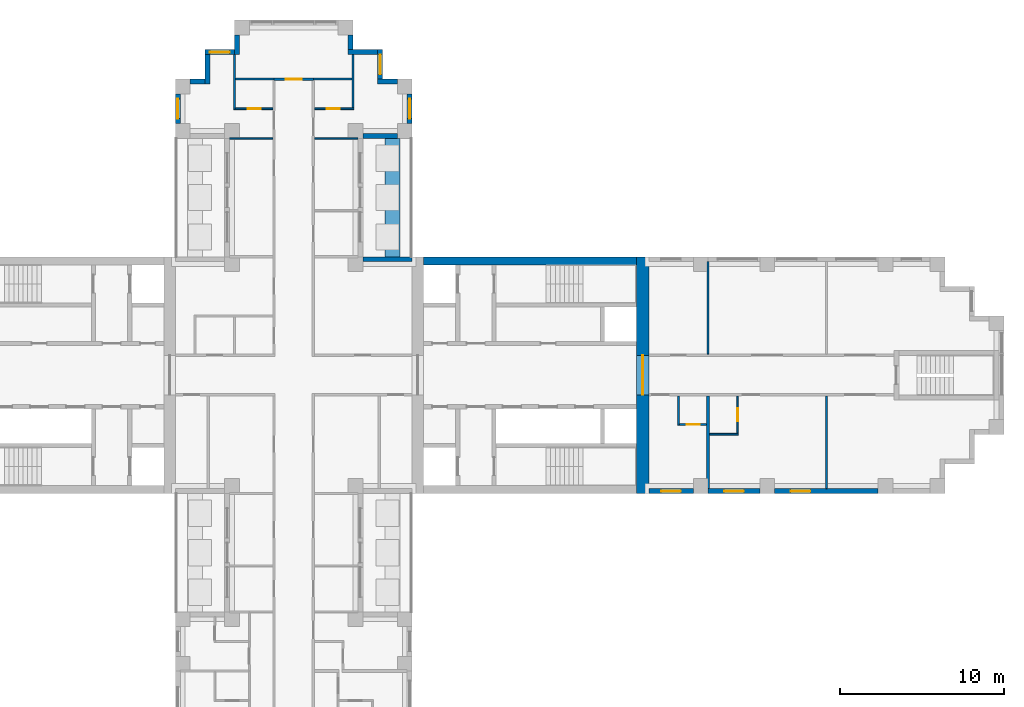
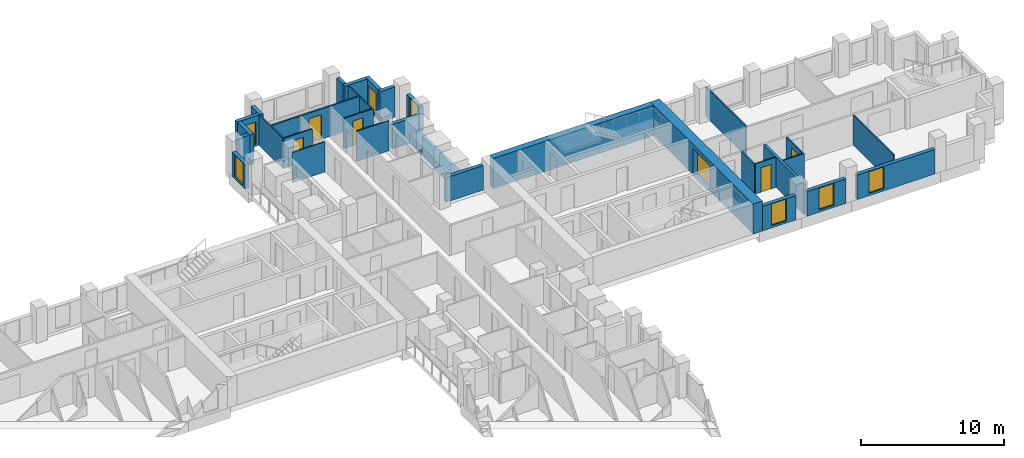
# One storey, part 10 of 14: 34 walls, 7 windows, 6 doors, 13 openings.
"""IFC4 building model written with IfcOpenShell, lengths in metres."""

from ifc_helpers import new_model, si_unit, direction, frame, frame_2d, origin, place, context, subcontext, project, spatial, rectangle, extrude, material, layer, layer_set, type_object, element, fill, save


model = new_model("IFC4")

# Units and contexts
model_context = context("Model", 3, precision=1e-05, world=origin(), true_north=direction((0.0, 1.0)))
body_context = subcontext(model_context, "Body", "Model", "MODEL_VIEW")
ifc_project = project(units=[si_unit("LENGTHUNIT", "METRE"), si_unit("AREAUNIT", "SQUARE_METRE"), si_unit("VOLUMEUNIT", "CUBIC_METRE"), si_unit("PLANEANGLEUNIT", "RADIAN"), si_unit("MASSUNIT", "GRAM", prefix="KILO")], contexts=[model_context])

# Site, building, storey
site_placement = place(None, origin())
site = spatial("IfcSite", under=ifc_project, at=site_placement, CompositionType="ELEMENT")
building_placement = place(site_placement, origin())
building = spatial("IfcBuilding", under=site, at=building_placement, Name="Fustian Cross Tower", CompositionType="ELEMENT")
storey_placement = place(building_placement, frame((0.0, 0.0, 72.89990234375)))
storey = spatial("IfcBuildingStorey", under=building, at=storey_placement, Name="L22", CompositionType="ELEMENT", Elevation=72.89990234375)

# Wall, opening, door
ifc_material_1 = material(Name="Plasterboard on steel stud", Category="steel")
ifc_layer_1 = layer(ifc_material_1, 0.14990234375)
ifc_layer_set_1 = layer_set([ifc_layer_1], Name="Plasterboard on steel stud")
wall_type_1 = type_object("IfcWallType", Name="COMPARTMENT WALL 150 EI 60", PredefinedType="PARTITIONING", material=ifc_layer_set_1)
wall_1_placement = place(storey_placement, frame((-1.199951171875, 18.0, 0.0), z_axis=(0.0, 0.0, 1.0), x_axis=(1.0, 0.0, 0.0)))
wall_1 = element("IfcWall", 1, at=wall_1_placement, inside=storey, type_object=wall_type_1, Name="Partition 51", PredefinedType="PARTITIONING", context=body_context, shape_type="SweptSolid", body=[
    extrude(rectangle(XDim=2.39990234375, YDim=0.14990234375, at=frame_2d((1.199951171875, 0.0))), origin(), (0.0, 0.0, 1.0), 2.5751953125),
])
opening_1_placement = place(wall_1_placement, frame((0.699951171875, 0.0, 0.0)))
opening_1 = element("IfcOpeningElement", 2, at=opening_1_placement, cuts=wall_1, Name="Opening D11017", PredefinedType="OPENING", context=body_context, shape_type="SweptSolid", body=[
    extrude(rectangle(XDim=1.0, YDim=2.10009765625, at=frame_2d((0.5, 1.050048828125))), frame((0.0, 0.0849609375, 0.0), z_axis=(0.0, -1.0, 0.0), x_axis=(1.0, 0.0, 0.0)), (0.0, 0.0, 1.0), 0.169921875),
])
ifc_material_2 = material(Name="Timber fire door set", Category="wood")
door_type_1 = type_object("IfcDoorType", Name="FIRE SWING DOOR 1000 FD30S", OperationType="SINGLE_SWING_LEFT", PredefinedType="DOOR", material=ifc_material_2)
door_1_placement = place(opening_1_placement, origin())
door_1 = element("IfcDoor", 3, at=door_1_placement, inside=storey, type_object=door_type_1, Name="Door D11017", OperationType="SINGLE_SWING_LEFT", OverallHeight=2.10009765625, OverallWidth=1.0, PredefinedType="DOOR", context=body_context, shape_type="SweptSolid", body=[
    extrude(rectangle(XDim=1.0, YDim=2.10009765625, at=frame_2d((0.5, 1.050048828125))), frame((0.0, 0.02490234375, 0.0), z_axis=(0.0, -1.0, 0.0), x_axis=(1.0, 0.0, 0.0)), (0.0, 0.0, 1.0), 0.050048828125),
])
fill(opening_1, door_1)

ifc_material_3 = material(Name="Concrete C70/85", Category="concrete")
ifc_layer_2 = layer(ifc_material_3, 0.75)
ifc_layer_set_2 = layer_set([ifc_layer_2], Name="Concrete C70/85")
wall_type_2 = type_object("IfcWallType", Name="CORE END WALL 750 C70/85", PredefinedType="SHEAR", material=ifc_layer_set_2)
wall_2_placement = place(storey_placement, frame((21.22509765625, -7.199951171875, 0.0), z_axis=(0.0, 0.0, 1.0), x_axis=(0.0, 1.0, 0.0)))
wall_2 = element("IfcWall", 4, at=wall_2_placement, inside=storey, type_object=wall_type_2, Name="Core end wall", PredefinedType="SHEAR", context=body_context, shape_type="SweptSolid", body=[
    extrude(rectangle(XDim=14.39990234375, YDim=0.75, at=frame_2d((7.199951171875, 0.0))), origin(), (0.0, 0.0, 1.0), 2.5751953125),
])
opening_2_placement = place(wall_2_placement, frame((6.0, 0.0, 0.0)))
opening_2 = element("IfcOpeningElement", 5, at=opening_2_placement, cuts=wall_2, Name="Opening CD-09-13", PredefinedType="OPENING", context=body_context, shape_type="SweptSolid", body=[
    extrude(rectangle(XDim=2.39990234375, YDim=2.199951171875, at=frame_2d((1.199951171875, 1.10009765625))), frame((0.0, 0.385009765625, 0.0), z_axis=(0.0, -1.0, 0.0), x_axis=(1.0, 0.0, 0.0)), (0.0, 0.0, 1.0), 0.77001953125),
])
ifc_material_4 = material(Name="Steel", Category="steel")
door_type_2 = type_object("IfcDoorType", Name="FIRE DOOR FD30S DOUBLE 2400X2200", OperationType="DOUBLE_DOOR_DOUBLE_SWING", PredefinedType="DOOR", material=ifc_material_4)
door_2_placement = place(opening_2_placement, origin())
door_2 = element("IfcDoor", 6, at=door_2_placement, inside=storey, type_object=door_type_2, Name="Core door CD-09-13", OperationType="DOUBLE_DOOR_DOUBLE_SWING", OverallHeight=2.199951171875, OverallWidth=2.39990234375, PredefinedType="DOOR", context=body_context, shape_type="SweptSolid", body=[
    extrude(rectangle(XDim=2.39990234375, YDim=2.199951171875, at=frame_2d((1.199951171875, 1.10009765625))), frame((0.0, 0.02490234375, 0.0), z_axis=(0.0, -1.0, 0.0), x_axis=(1.0, 0.0, 0.0)), (0.0, 0.0, 1.0), 0.050048828125),
])
fill(opening_2, door_2)

# Walls
ifc_material_5 = material(Name="Concrete C70/85", Category="concrete")
ifc_layer_3 = layer(ifc_material_5, 0.5)
ifc_layer_set_3 = layer_set([ifc_layer_3], Name="Concrete C70/85")
wall_type_3 = type_object("IfcWallType", Name="CORE FACADE WALL 500 C70/85", PredefinedType="SHEAR", material=ifc_layer_set_3)
wall_3_placement = place(storey_placement, frame((7.89990234375, 6.949951171875, 0.0), z_axis=(0.0, 0.0, 1.0), x_axis=(1.0, 0.0, 0.0)))
element("IfcWall", 7, at=wall_3_placement, inside=storey, type_object=wall_type_3, Name="Core facade wall", PredefinedType="SHEAR", context=body_context, shape_type="SweptSolid", body=[
    extrude(rectangle(XDim=12.9501953125, YDim=0.5, at=frame_2d((6.47509765625, 0.0))), origin(), (0.0, 0.0, 1.0), 2.5751953125),
])
ifc_material_6 = material(Name="Plasterboard on steel stud", Category="steel")
ifc_layer_4 = layer(ifc_material_6, 0.10009765625)
ifc_layer_set_4 = layer_set([ifc_layer_4], Name="Plasterboard on steel stud")
wall_type_4 = type_object("IfcWallType", Name="PARTITION 100 STUD", PredefinedType="PARTITIONING", material=ifc_layer_set_4)
wall_4_placement = place(storey_placement, frame((-3.89990234375, 14.39990234375, 0.0), z_axis=(0.0, 0.0, 1.0), x_axis=(1.0, 0.0, 0.0)))
element("IfcWall", 8, at=wall_4_placement, inside=storey, type_object=wall_type_4, Name="Partition 42", PredefinedType="PARTITIONING", context=body_context, shape_type="SweptSolid", body=[
    extrude(rectangle(XDim=2.625, YDim=0.10009765625, at=frame_2d((1.3125, 0.0))), origin(), (0.0, 0.0, 1.0), 2.5751953125),
])
wall_5_placement = place(storey_placement, frame((-3.60009765625, 16.14990234375, 0.0), z_axis=(0.0, 0.0, 1.0), x_axis=(0.0, 1.0, 0.0)))
element("IfcWall", 9, at=wall_5_placement, inside=storey, type_object=wall_type_4, Name="Partition 44", PredefinedType="PARTITIONING", context=body_context, shape_type="SweptSolid", body=[
    extrude(rectangle(XDim=3.35009765625, YDim=0.10009765625, at=frame_2d((1.675048828125, 0.0))), origin(), (0.0, 0.0, 1.0), 2.5751953125),
])

# Wall, opening, door
wall_6_placement = place(storey_placement, frame((-3.550048828125, 16.199951171875, 0.0), z_axis=(0.0, 0.0, 1.0), x_axis=(1.0, 0.0, 0.0)))
wall_6 = element("IfcWall", 10, at=wall_6_placement, inside=storey, type_object=wall_type_4, Name="Partition 45", PredefinedType="PARTITIONING", context=body_context, shape_type="SweptSolid", body=[
    extrude(rectangle(XDim=2.275146484375, YDim=0.10009765625, at=frame_2d((1.1376953125, 0.0))), origin(), (0.0, 0.0, 1.0), 2.5751953125),
])
opening_3_placement = place(wall_6_placement, frame((0.75, 0.0, 0.0)))
opening_3 = element("IfcOpeningElement", 11, at=opening_3_placement, cuts=wall_6, Name="Opening D11019", PredefinedType="OPENING", context=body_context, shape_type="SweptSolid", body=[
    extrude(rectangle(XDim=0.800048828125, YDim=2.10009765625, at=frame_2d((0.39990234375, 1.050048828125))), frame((0.0, 0.06005859375, 0.0), z_axis=(0.0, -1.0, 0.0), x_axis=(1.0, 0.0, 0.0)), (0.0, 0.0, 1.0), 0.1201171875),
])
ifc_material_7 = material(Name="Painted timber", Category="wood")
door_type_3 = type_object("IfcDoorType", Name="SWING DOOR 800", OperationType="SINGLE_SWING_LEFT", PredefinedType="DOOR", material=ifc_material_7)
door_3_placement = place(opening_3_placement, origin())
door_3 = element("IfcDoor", 12, at=door_3_placement, inside=storey, type_object=door_type_3, Name="Door D11019", OperationType="SINGLE_SWING_LEFT", OverallHeight=2.10009765625, OverallWidth=0.800048828125, PredefinedType="DOOR", context=body_context, shape_type="SweptSolid", body=[
    extrude(rectangle(XDim=0.800048828125, YDim=2.10009765625, at=frame_2d((0.39990234375, 1.050048828125))), frame((0.0, 0.02490234375, 0.0), z_axis=(0.0, -1.0, 0.0), x_axis=(1.0, 0.0, 0.0)), (0.0, 0.0, 1.0), 0.050048828125),
])
fill(opening_3, door_3)

# Wall
wall_7_placement = place(storey_placement, frame((1.27490234375, 14.39990234375, 0.0), z_axis=(0.0, 0.0, 1.0), x_axis=(1.0, 0.0, 0.0)))
element("IfcWall", 13, at=wall_7_placement, inside=storey, type_object=wall_type_4, Name="Partition 64", PredefinedType="PARTITIONING", context=body_context, shape_type="SweptSolid", body=[
    extrude(rectangle(XDim=2.625, YDim=0.10009765625, at=frame_2d((1.3125, 0.0))), origin(), (0.0, 0.0, 1.0), 2.5751953125),
])

# Wall, opening, door
wall_8_placement = place(storey_placement, frame((1.27490234375, 16.199951171875, 0.0), z_axis=(0.0, 0.0, 1.0), x_axis=(1.0, 0.0, 0.0)))
wall_8 = element("IfcWall", 14, at=wall_8_placement, inside=storey, type_object=wall_type_4, Name="Partition 65", PredefinedType="PARTITIONING", context=body_context, shape_type="SweptSolid", body=[
    extrude(rectangle(XDim=2.375, YDim=0.10009765625, at=frame_2d((1.1875, 0.0))), origin(), (0.0, 0.0, 1.0), 2.5751953125),
])
opening_4_placement = place(wall_8_placement, frame((0.72509765625, 0.0, 0.0)))
opening_4 = element("IfcOpeningElement", 15, at=opening_4_placement, cuts=wall_8, Name="Opening D11023", PredefinedType="OPENING", context=body_context, shape_type="SweptSolid", body=[
    extrude(rectangle(XDim=0.800048828125, YDim=2.10009765625, at=frame_2d((0.39990234375, 1.050048828125))), frame((0.0, 0.06005859375, 0.0), z_axis=(0.0, -1.0, 0.0), x_axis=(1.0, 0.0, 0.0)), (0.0, 0.0, 1.0), 0.1201171875),
])
door_4_placement = place(opening_4_placement, origin())
door_4 = element("IfcDoor", 16, at=door_4_placement, inside=storey, type_object=door_type_3, Name="Door D11023", OperationType="SINGLE_SWING_LEFT", OverallHeight=2.10009765625, OverallWidth=0.800048828125, PredefinedType="DOOR", context=body_context, shape_type="SweptSolid", body=[
    extrude(rectangle(XDim=0.800048828125, YDim=2.10009765625, at=frame_2d((0.39990234375, 1.050048828125))), frame((0.0, 0.02490234375, 0.0), z_axis=(0.0, -1.0, 0.0), x_axis=(1.0, 0.0, 0.0)), (0.0, 0.0, 1.0), 0.050048828125),
])
fill(opening_4, door_4)

# Walls
wall_9_placement = place(storey_placement, frame((3.60009765625, 16.25, 0.0), z_axis=(0.0, 0.0, 1.0), x_axis=(0.0, 1.0, 0.0)))
element("IfcWall", 17, at=wall_9_placement, inside=storey, type_object=wall_type_4, Name="Partition 77", PredefinedType="PARTITIONING", context=body_context, shape_type="SweptSolid", body=[
    extrude(rectangle(XDim=3.25, YDim=0.10009765625, at=frame_2d((1.625, 0.0))), origin(), (0.0, 0.0, 1.0), 2.5751953125),
])
wall_10_placement = place(storey_placement, frame((23.39990234375, -3.050048828125, 0.0), z_axis=(0.0, 0.0, 1.0), x_axis=(0.0, 1.0, 0.0)))
element("IfcWall", 18, at=wall_10_placement, inside=storey, type_object=wall_type_4, Name="Partition 86", PredefinedType="PARTITIONING", context=body_context, shape_type="SweptSolid", body=[
    extrude(rectangle(XDim=1.775146484375, YDim=0.10009765625, at=frame_2d((0.8876953125, 0.0))), origin(), (0.0, 0.0, 1.0), 2.5751953125),
])

# Wall, opening, door
wall_11_placement = place(storey_placement, frame((23.449951171875, -3.0, 0.0), z_axis=(0.0, 0.0, 1.0), x_axis=(1.0, 0.0, 0.0)))
wall_11 = element("IfcWall", 19, at=wall_11_placement, inside=storey, type_object=wall_type_4, Name="Partition 87", PredefinedType="PARTITIONING", context=body_context, shape_type="SweptSolid", body=[
    extrude(rectangle(XDim=1.650146484375, YDim=0.10009765625, at=frame_2d((0.8251953125, 0.0))), origin(), (0.0, 0.0, 1.0), 2.5751953125),
])
opening_5_placement = place(wall_11_placement, frame((0.449951171875, 0.0, 0.0)))
opening_5 = element("IfcOpeningElement", 20, at=opening_5_placement, cuts=wall_11, Name="Opening D11012", PredefinedType="OPENING", context=body_context, shape_type="SweptSolid", body=[
    extrude(rectangle(XDim=0.800048828125, YDim=2.10009765625, at=frame_2d((0.39990234375, 1.050048828125))), frame((0.0, 0.06005859375, 0.0), z_axis=(0.0, -1.0, 0.0), x_axis=(1.0, 0.0, 0.0)), (0.0, 0.0, 1.0), 0.1201171875),
])
door_5_placement = place(opening_5_placement, origin())
door_5 = element("IfcDoor", 21, at=door_5_placement, inside=storey, type_object=door_type_3, Name="Door D11012", OperationType="SINGLE_SWING_RIGHT", OverallHeight=2.10009765625, OverallWidth=0.800048828125, PredefinedType="DOOR", context=body_context, shape_type="SweptSolid", body=[
    extrude(rectangle(XDim=0.800048828125, YDim=2.10009765625, at=frame_2d((0.39990234375, 1.050048828125))), frame((0.0, 0.02490234375, 0.0), z_axis=(0.0, -1.0, 0.0), x_axis=(1.0, 0.0, 0.0)), (0.0, 0.0, 1.0), 0.050048828125),
])
fill(opening_5, door_5)

# Walls
wall_12_placement = place(storey_placement, frame((25.300048828125, -3.60009765625, 0.0), z_axis=(0.0, 0.0, 1.0), x_axis=(1.0, 0.0, 0.0)))
element("IfcWall", 22, at=wall_12_placement, inside=storey, type_object=wall_type_4, Name="Partition 89", PredefinedType="PARTITIONING", context=body_context, shape_type="SweptSolid", body=[
    extrude(rectangle(XDim=1.75, YDim=0.10009765625, at=frame_2d((0.875, 0.0))), origin(), (0.0, 0.0, 1.0), 2.5751953125),
])
wall_13_placement = place(storey_placement, frame((25.199951171875, 1.27490234375, 0.0), z_axis=(0.0, 0.0, 1.0), x_axis=(0.0, 1.0, 0.0)))
element("IfcWall", 23, at=wall_13_placement, inside=storey, type_object=wall_type_4, Name="Partition 90", PredefinedType="PARTITIONING", context=body_context, shape_type="SweptSolid", body=[
    extrude(rectangle(XDim=5.625, YDim=0.10009765625, at=frame_2d((2.8125, 0.0))), origin(), (0.0, 0.0, 1.0), 2.5751953125),
])

# Wall, opening, door
wall_14_placement = place(storey_placement, frame((27.0, -3.550048828125, 0.0), z_axis=(0.0, 0.0, 1.0), x_axis=(0.0, 1.0, 0.0)))
wall_14 = element("IfcWall", 24, at=wall_14_placement, inside=storey, type_object=wall_type_4, Name="Partition 91", PredefinedType="PARTITIONING", context=body_context, shape_type="SweptSolid", body=[
    extrude(rectangle(XDim=2.275146484375, YDim=0.10009765625, at=frame_2d((1.1376953125, 0.0))), origin(), (0.0, 0.0, 1.0), 2.5751953125),
])
opening_6_placement = place(wall_14_placement, frame((0.75, 0.0, 0.0)))
opening_6 = element("IfcOpeningElement", 25, at=opening_6_placement, cuts=wall_14, Name="Opening D11014", PredefinedType="OPENING", context=body_context, shape_type="SweptSolid", body=[
    extrude(rectangle(XDim=0.800048828125, YDim=2.10009765625, at=frame_2d((0.39990234375, 1.050048828125))), frame((0.0, 0.06005859375, 0.0), z_axis=(0.0, -1.0, 0.0), x_axis=(1.0, 0.0, 0.0)), (0.0, 0.0, 1.0), 0.1201171875),
])
door_6_placement = place(opening_6_placement, origin())
door_6 = element("IfcDoor", 26, at=door_6_placement, inside=storey, type_object=door_type_3, Name="Door D11014", OperationType="SINGLE_SWING_LEFT", OverallHeight=2.10009765625, OverallWidth=0.800048828125, PredefinedType="DOOR", context=body_context, shape_type="SweptSolid", body=[
    extrude(rectangle(XDim=0.800048828125, YDim=2.10009765625, at=frame_2d((0.39990234375, 1.050048828125))), frame((0.0, 0.02490234375, 0.0), z_axis=(0.0, -1.0, 0.0), x_axis=(1.0, 0.0, 0.0)), (0.0, 0.0, 1.0), 0.050048828125),
])
fill(opening_6, door_6)

# Walls
wall_15_placement = place(storey_placement, frame((32.39990234375, -6.89990234375, 0.0), z_axis=(0.0, 0.0, 1.0), x_axis=(0.0, 1.0, 0.0)))
element("IfcWall", 27, at=wall_15_placement, inside=storey, type_object=wall_type_4, Name="Partition 92", PredefinedType="PARTITIONING", context=body_context, shape_type="SweptSolid", body=[
    extrude(rectangle(XDim=5.625, YDim=0.10009765625, at=frame_2d((2.8125, 0.0))), origin(), (0.0, 0.0, 1.0), 2.5751953125),
])
ifc_material_8 = material(Name="Plasterboard on steel stud", Category="steel")
ifc_layer_5 = layer(ifc_material_8, 0.199951171875)
ifc_layer_set_5 = layer_set([ifc_layer_5], Name="Plasterboard on steel stud")
wall_type_5 = type_object("IfcWallType", Name="PARTY WALL 200 EI 60", PredefinedType="PARTITIONING", material=ifc_layer_set_5)
wall_16_placement = place(storey_placement, frame((25.199951171875, -6.89990234375, 0.0), z_axis=(0.0, 0.0, 1.0), x_axis=(0.0, 1.0, 0.0)))
element("IfcWall", 28, at=wall_16_placement, inside=storey, type_object=wall_type_5, Name="Partition 88", PredefinedType="PARTITIONING", context=body_context, shape_type="SweptSolid", body=[
    extrude(rectangle(XDim=5.625, YDim=0.199951171875, at=frame_2d((2.8125, 0.0))), origin(), (0.0, 0.0, 1.0), 2.5751953125),
])
ifc_material_9 = material(Name="Concrete C40/50", Category="concrete")
ifc_layer_6 = layer(ifc_material_9, 0.89990234375)
ifc_layer_set_6 = layer_set([ifc_layer_6], Name="Concrete C40/50")
wall_type_6 = type_object("IfcWallType", Name="PK1 PLANTER 900", PredefinedType="PARAPET", material=ifc_layer_set_6)
wall_17_placement = place(storey_placement, frame((6.0, 7.199951171875, 0.0), z_axis=(0.0, 0.0, 1.0), x_axis=(0.0, 1.0, 0.0)))
element("IfcWall", 29, at=wall_17_placement, inside=storey, type_object=wall_type_6, Name="PLANTER", PredefinedType="PARAPET", context=body_context, shape_type="SweptSolid", body=[
    extrude(rectangle(XDim=7.199951171875, YDim=0.89990234375, at=frame_2d((3.60009765625, 0.0))), origin(), (0.0, 0.0, 1.0), 0.800048828125),
])
ifc_material_10 = material(Name="Plasterboard on steel stud", Category="steel")
ifc_layer_7 = layer(ifc_material_10, 0.125)
ifc_layer_set_7 = layer_set([ifc_layer_7], Name="Plasterboard on steel stud")
wall_type_7 = type_object("IfcWallType", Name="WET WALL 125 STUD", PredefinedType="PARTITIONING", material=ifc_layer_set_7)
for number, where, z_axis, x_axis, name in (
    (30, (-3.550048828125, 18.0, 0.0), (0.0, 0.0, 1.0), (1.0, 0.0, 0.0), "Partition 46"),
    (31, (1.199951171875, 18.0, 0.0), (0.0, 0.0, 1.0), (1.0, 0.0, 0.0), "Partition 66"),
):
    element("IfcWall", number, at=place(storey_placement, frame(where, z_axis=z_axis, x_axis=x_axis)), inside=storey, type_object=wall_type_7, Name=name, PredefinedType="PARTITIONING", context=body_context, shape_type="SweptSolid", body=[
        extrude(rectangle(XDim=2.35009765625, YDim=0.125, at=frame_2d((1.175048828125, 0.0))), origin(), (0.0, 0.0, 1.0), 2.5751953125),
    ])

# Wall, opening, window
ifc_material_11 = material(Name="Dark aluminium cladding on insulated backing wall", Category="aluminium")
ifc_layer_8 = layer(ifc_material_11, 0.300048828125)
ifc_layer_set_8 = layer_set([ifc_layer_8], Name="Dark aluminium cladding on insulated backing wall")
wall_type_8 = type_object("IfcWallType", Name="XW1 EXTERNAL WALL 300", PredefinedType="SOLIDWALL", material=ifc_layer_set_8)
wall_18_placement = place(storey_placement, frame((21.60009765625, -7.050048828125, 0.0), z_axis=(0.0, 0.0, 1.0), x_axis=(1.0, 0.0, 0.0)))
wall_18 = element("IfcWall", 32, at=wall_18_placement, inside=storey, type_object=wall_type_8, Name="External wall", PredefinedType="SOLIDWALL", context=body_context, shape_type="SweptSolid", body=[
    extrude(rectangle(XDim=2.699951171875, YDim=0.300048828125, at=frame_2d((1.35009765625, 0.0))), origin(), (0.0, 0.0, 1.0), 2.10009765625),
])
opening_7_placement = place(wall_18_placement, frame((0.75, 0.0, 0.199951171875)))
opening_7 = element("IfcOpeningElement", 33, at=opening_7_placement, cuts=wall_18, Name="Opening WN3", PredefinedType="OPENING", context=body_context, shape_type="SweptSolid", body=[
    extrude(rectangle(XDim=1.199951171875, YDim=1.85009765625, at=frame_2d((0.60009765625, 0.925048828125))), frame((0.0, 0.159912109375, 0.0), z_axis=(0.0, -1.0, 0.0), x_axis=(1.0, 0.0, 0.0)), (0.0, 0.0, 1.0), 0.320068359375),
])
ifc_material_12 = material(Name="Dark anodised aluminium and double glazing", Category="aluminium")
window_type = type_object("IfcWindowType", Name="WN3 WINDOW 1200X1850", PartitioningType="SINGLE_PANEL", PredefinedType="WINDOW", material=ifc_material_12)
window_1_placement = place(opening_7_placement, origin())
window_1 = element("IfcWindow", 34, at=window_1_placement, inside=storey, type_object=window_type, Name="Window", OverallHeight=1.85009765625, OverallWidth=1.199951171875, PartitioningType="SINGLE_PANEL", PredefinedType="WINDOW", context=body_context, shape_type="SweptSolid", body=[
    extrude(rectangle(XDim=1.199951171875, YDim=1.85009765625, at=frame_2d((0.60009765625, 0.925048828125))), frame((0.0, 0.030029296875, 0.0), z_axis=(0.0, -1.0, 0.0), x_axis=(1.0, 0.0, 0.0)), (0.0, 0.0, 1.0), 0.06005859375),
])
fill(opening_7, window_1)

wall_19_placement = place(storey_placement, frame((25.199951171875, -7.050048828125, 0.0), z_axis=(0.0, 0.0, 1.0), x_axis=(1.0, 0.0, 0.0)))
wall_19 = element("IfcWall", 35, at=wall_19_placement, inside=storey, type_object=wall_type_8, Name="External wall", PredefinedType="SOLIDWALL", context=body_context, shape_type="SweptSolid", body=[
    extrude(rectangle(XDim=3.150146484375, YDim=0.300048828125, at=frame_2d((1.5751953125, 0.0))), origin(), (0.0, 0.0, 1.0), 2.10009765625),
])
opening_8_placement = place(wall_19_placement, frame((0.97509765625, 0.0, 0.199951171875)))
opening_8 = element("IfcOpeningElement", 36, at=opening_8_placement, cuts=wall_19, Name="Opening WN3", PredefinedType="OPENING", context=body_context, shape_type="SweptSolid", body=[
    extrude(rectangle(XDim=1.199951171875, YDim=1.85009765625, at=frame_2d((0.60009765625, 0.925048828125))), frame((0.0, 0.159912109375, 0.0), z_axis=(0.0, -1.0, 0.0), x_axis=(1.0, 0.0, 0.0)), (0.0, 0.0, 1.0), 0.320068359375),
])
window_2_placement = place(opening_8_placement, origin())
window_2 = element("IfcWindow", 37, at=window_2_placement, inside=storey, type_object=window_type, Name="Window", OverallHeight=1.85009765625, OverallWidth=1.199951171875, PartitioningType="SINGLE_PANEL", PredefinedType="WINDOW", context=body_context, shape_type="SweptSolid", body=[
    extrude(rectangle(XDim=1.199951171875, YDim=1.85009765625, at=frame_2d((0.60009765625, 0.925048828125))), frame((0.0, 0.030029296875, 0.0), z_axis=(0.0, -1.0, 0.0), x_axis=(1.0, 0.0, 0.0)), (0.0, 0.0, 1.0), 0.06005859375),
])
fill(opening_8, window_2)

wall_20_placement = place(storey_placement, frame((29.25, -7.050048828125, 0.0), z_axis=(0.0, 0.0, 1.0), x_axis=(1.0, 0.0, 0.0)))
wall_20 = element("IfcWall", 38, at=wall_20_placement, inside=storey, type_object=wall_type_8, Name="External wall", PredefinedType="SOLIDWALL", context=body_context, shape_type="SweptSolid", body=[
    extrude(rectangle(XDim=6.300048828125, YDim=0.300048828125, at=frame_2d((3.14990234375, 0.0))), origin(), (0.0, 0.0, 1.0), 2.10009765625),
])
opening_9_placement = place(wall_20_placement, frame((0.97509765625, 0.0, 0.199951171875)))
opening_9 = element("IfcOpeningElement", 39, at=opening_9_placement, cuts=wall_20, Name="Opening WN3", PredefinedType="OPENING", context=body_context, shape_type="SweptSolid", body=[
    extrude(rectangle(XDim=1.199951171875, YDim=1.85009765625, at=frame_2d((0.60009765625, 0.925048828125))), frame((0.0, 0.159912109375, 0.0), z_axis=(0.0, -1.0, 0.0), x_axis=(1.0, 0.0, 0.0)), (0.0, 0.0, 1.0), 0.320068359375),
])
window_3_placement = place(opening_9_placement, origin())
window_3 = element("IfcWindow", 40, at=window_3_placement, inside=storey, type_object=window_type, Name="Window", OverallHeight=1.85009765625, OverallWidth=1.199951171875, PartitioningType="SINGLE_PANEL", PredefinedType="WINDOW", context=body_context, shape_type="SweptSolid", body=[
    extrude(rectangle(XDim=1.199951171875, YDim=1.85009765625, at=frame_2d((0.60009765625, 0.925048828125))), frame((0.0, 0.030029296875, 0.0), z_axis=(0.0, -1.0, 0.0), x_axis=(1.0, 0.0, 0.0)), (0.0, 0.0, 1.0), 0.06005859375),
])
fill(opening_9, window_3)

# Walls
wall_21_placement = place(storey_placement, frame((7.199951171875, 7.050048828125, 0.0), z_axis=(0.0, 0.0, 1.0), x_axis=(-1.0, 0.0, 0.0)))
element("IfcWall", 41, at=wall_21_placement, inside=storey, type_object=wall_type_8, Name="External wall", PredefinedType="SOLIDWALL", context=body_context, shape_type="SweptSolid", body=[
    extrude(rectangle(XDim=3.0, YDim=0.300048828125, at=frame_2d((1.5, 0.0))), origin(), (0.0, 0.0, 1.0), 2.10009765625),
])
wall_22_placement = place(storey_placement, frame((4.199951171875, 14.550048828125, 0.0), z_axis=(0.0, 0.0, 1.0), x_axis=(1.0, 0.0, 0.0)))
element("IfcWall", 42, at=wall_22_placement, inside=storey, type_object=wall_type_8, Name="External wall", PredefinedType="SOLIDWALL", context=body_context, shape_type="SweptSolid", body=[
    extrude(rectangle(XDim=2.10009765625, YDim=0.300048828125, at=frame_2d((1.050048828125, 0.0))), origin(), (0.0, 0.0, 1.0), 2.10009765625),
])

# Wall, opening, window
wall_23_placement = place(storey_placement, frame((7.050048828125, 15.300048828125, 0.0), z_axis=(0.0, 0.0, 1.0), x_axis=(0.0, 1.0, 0.0)))
wall_23 = element("IfcWall", 43, at=wall_23_placement, inside=storey, type_object=wall_type_8, Name="External wall", PredefinedType="SOLIDWALL", context=body_context, shape_type="SweptSolid", body=[
    extrude(rectangle(XDim=1.800048828125, YDim=0.300048828125, at=frame_2d((0.89990234375, 0.0))), origin(), (0.0, 0.0, 1.0), 2.10009765625),
])
opening_10_placement = place(wall_23_placement, frame((0.300048828125, 0.0, 0.199951171875)))
opening_10 = element("IfcOpeningElement", 44, at=opening_10_placement, cuts=wall_23, Name="Opening WN3", PredefinedType="OPENING", context=body_context, shape_type="SweptSolid", body=[
    extrude(rectangle(XDim=1.199951171875, YDim=1.85009765625, at=frame_2d((0.60009765625, 0.925048828125))), frame((0.0, 0.159912109375, 0.0), z_axis=(0.0, -1.0, 0.0), x_axis=(1.0, 0.0, 0.0)), (0.0, 0.0, 1.0), 0.320068359375),
])
window_4_placement = place(opening_10_placement, origin())
window_4 = element("IfcWindow", 45, at=window_4_placement, inside=storey, type_object=window_type, Name="Window", OverallHeight=1.85009765625, OverallWidth=1.199951171875, PartitioningType="SINGLE_PANEL", PredefinedType="WINDOW", context=body_context, shape_type="SweptSolid", body=[
    extrude(rectangle(XDim=1.199951171875, YDim=1.85009765625, at=frame_2d((0.60009765625, 0.925048828125))), frame((0.0, 0.030029296875, 0.0), z_axis=(0.0, -1.0, 0.0), x_axis=(1.0, 0.0, 0.0)), (0.0, 0.0, 1.0), 0.06005859375),
])
fill(opening_10, window_4)

# Wall
wall_24_placement = place(storey_placement, frame((6.300048828125, 17.85009765625, 0.0), z_axis=(0.0, 0.0, 1.0), x_axis=(-1.0, 0.0, 0.0)))
element("IfcWall", 46, at=wall_24_placement, inside=storey, type_object=wall_type_8, Name="External wall", PredefinedType="SOLIDWALL", context=body_context, shape_type="SweptSolid", body=[
    extrude(rectangle(XDim=1.199951171875, YDim=0.300048828125, at=frame_2d((0.60009765625, 0.0))), origin(), (0.0, 0.0, 1.0), 2.5751953125),
])

# Wall, opening, window
wall_25_placement = place(storey_placement, frame((5.25, 18.0, 0.0), z_axis=(0.0, 0.0, 1.0), x_axis=(0.0, 1.0, 0.0)))
wall_25 = element("IfcWall", 47, at=wall_25_placement, inside=storey, type_object=wall_type_8, Name="External wall", PredefinedType="SOLIDWALL", context=body_context, shape_type="SweptSolid", body=[
    extrude(rectangle(XDim=1.800048828125, YDim=0.300048828125, at=frame_2d((0.89990234375, 0.0))), origin(), (0.0, 0.0, 1.0), 2.5751953125),
])
opening_11_placement = place(wall_25_placement, frame((0.300048828125, 0.0, 0.199951171875)))
opening_11 = element("IfcOpeningElement", 48, at=opening_11_placement, cuts=wall_25, Name="Opening WN3", PredefinedType="OPENING", context=body_context, shape_type="SweptSolid", body=[
    extrude(rectangle(XDim=1.199951171875, YDim=1.85009765625, at=frame_2d((0.60009765625, 0.925048828125))), frame((0.0, 0.159912109375, 0.0), z_axis=(0.0, -1.0, 0.0), x_axis=(1.0, 0.0, 0.0)), (0.0, 0.0, 1.0), 0.320068359375),
])
window_5_placement = place(opening_11_placement, origin())
window_5 = element("IfcWindow", 49, at=window_5_placement, inside=storey, type_object=window_type, Name="Window", OverallHeight=1.85009765625, OverallWidth=1.199951171875, PartitioningType="SINGLE_PANEL", PredefinedType="WINDOW", context=body_context, shape_type="SweptSolid", body=[
    extrude(rectangle(XDim=1.199951171875, YDim=1.85009765625, at=frame_2d((0.60009765625, 0.925048828125))), frame((0.0, 0.030029296875, 0.0), z_axis=(0.0, -1.0, 0.0), x_axis=(1.0, 0.0, 0.0)), (0.0, 0.0, 1.0), 0.06005859375),
])
fill(opening_11, window_5)

# Walls
wall_26_placement = place(storey_placement, frame((5.10009765625, 19.64990234375, 0.0), z_axis=(0.0, 0.0, 1.0), x_axis=(-1.0, 0.0, 0.0)))
element("IfcWall", 50, at=wall_26_placement, inside=storey, type_object=wall_type_8, Name="External wall", PredefinedType="SOLIDWALL", context=body_context, shape_type="SweptSolid", body=[
    extrude(rectangle(XDim=1.800048828125, YDim=0.300048828125, at=frame_2d((0.89990234375, 0.0))), origin(), (0.0, 0.0, 1.0), 2.5751953125),
])
wall_27_placement = place(storey_placement, frame((3.449951171875, 19.800048828125, 0.0), z_axis=(0.0, 0.0, 1.0), x_axis=(0.0, 1.0, 0.0)))
element("IfcWall", 51, at=wall_27_placement, inside=storey, type_object=wall_type_8, Name="External wall", PredefinedType="SOLIDWALL", context=body_context, shape_type="SweptSolid", body=[
    extrude(rectangle(XDim=0.89990234375, YDim=0.300048828125, at=frame_2d((0.449951171875, 0.0))), origin(), (0.0, 0.0, 1.0), 2.5751953125),
])
wall_28_placement = place(storey_placement, frame((-3.449951171875, 20.699951171875, 0.0), z_axis=(0.0, 0.0, 1.0), x_axis=(0.0, -1.0, 0.0)))
element("IfcWall", 52, at=wall_28_placement, inside=storey, type_object=wall_type_8, Name="External wall", PredefinedType="SOLIDWALL", context=body_context, shape_type="SweptSolid", body=[
    extrude(rectangle(XDim=1.199951171875, YDim=0.300048828125, at=frame_2d((0.60009765625, 0.0))), origin(), (0.0, 0.0, 1.0), 2.5751953125),
])

# Wall, opening, window
wall_29_placement = place(storey_placement, frame((-3.60009765625, 19.64990234375, 0.0), z_axis=(0.0, 0.0, 1.0), x_axis=(-1.0, 0.0, 0.0)))
wall_29 = element("IfcWall", 53, at=wall_29_placement, inside=storey, type_object=wall_type_8, Name="External wall", PredefinedType="SOLIDWALL", context=body_context, shape_type="SweptSolid", body=[
    extrude(rectangle(XDim=1.7998046875, YDim=0.300048828125, at=frame_2d((0.89990234375, 0.0))), origin(), (0.0, 0.0, 1.0), 2.5751953125),
])
opening_12_placement = place(wall_29_placement, frame((0.300048828125, 0.0, 0.199951171875)))
opening_12 = element("IfcOpeningElement", 54, at=opening_12_placement, cuts=wall_29, Name="Opening WN3", PredefinedType="OPENING", context=body_context, shape_type="SweptSolid", body=[
    extrude(rectangle(XDim=1.199951171875, YDim=1.85009765625, at=frame_2d((0.60009765625, 0.925048828125))), frame((0.0, 0.159912109375, 0.0), z_axis=(0.0, -1.0, 0.0), x_axis=(1.0, 0.0, 0.0)), (0.0, 0.0, 1.0), 0.320068359375),
])
window_6_placement = place(opening_12_placement, origin())
window_6 = element("IfcWindow", 55, at=window_6_placement, inside=storey, type_object=window_type, Name="Window", OverallHeight=1.85009765625, OverallWidth=1.199951171875, PartitioningType="SINGLE_PANEL", PredefinedType="WINDOW", context=body_context, shape_type="SweptSolid", body=[
    extrude(rectangle(XDim=1.199951171875, YDim=1.85009765625, at=frame_2d((0.60009765625, 0.925048828125))), frame((0.0, 0.030029296875, 0.0), z_axis=(0.0, -1.0, 0.0), x_axis=(1.0, 0.0, 0.0)), (0.0, 0.0, 1.0), 0.06005859375),
])
fill(opening_12, window_6)

# Walls
wall_30_placement = place(storey_placement, frame((-5.25, 19.5, 0.0), z_axis=(0.0, 0.0, 1.0), x_axis=(0.0, -1.0, 0.0)))
element("IfcWall", 56, at=wall_30_placement, inside=storey, type_object=wall_type_8, Name="External wall", PredefinedType="SOLIDWALL", context=body_context, shape_type="SweptSolid", body=[
    extrude(rectangle(XDim=1.800048828125, YDim=0.300048828125, at=frame_2d((0.89990234375, 0.0))), origin(), (0.0, 0.0, 1.0), 2.5751953125),
])
wall_31_placement = place(storey_placement, frame((-5.39990234375, 17.85009765625, 0.0), z_axis=(0.0, 0.0, 1.0), x_axis=(-1.0, 0.0, 0.0)))
element("IfcWall", 57, at=wall_31_placement, inside=storey, type_object=wall_type_8, Name="External wall", PredefinedType="SOLIDWALL", context=body_context, shape_type="SweptSolid", body=[
    extrude(rectangle(XDim=0.900146484375, YDim=0.300048828125, at=frame_2d((0.4501953125, 0.0))), origin(), (0.0, 0.0, 1.0), 2.5751953125),
])

# Wall, opening, window
wall_32_placement = place(storey_placement, frame((-7.050048828125, 17.10009765625, 0.0), z_axis=(0.0, 0.0, 1.0), x_axis=(0.0, -1.0, 0.0)))
wall_32 = element("IfcWall", 58, at=wall_32_placement, inside=storey, type_object=wall_type_8, Name="External wall", PredefinedType="SOLIDWALL", context=body_context, shape_type="SweptSolid", body=[
    extrude(rectangle(XDim=1.800048828125, YDim=0.300048828125, at=frame_2d((0.89990234375, 0.0))), origin(), (0.0, 0.0, 1.0), 2.10009765625),
])
opening_13_placement = place(wall_32_placement, frame((0.300048828125, 0.0, 0.199951171875)))
opening_13 = element("IfcOpeningElement", 59, at=opening_13_placement, cuts=wall_32, Name="Opening WN3", PredefinedType="OPENING", context=body_context, shape_type="SweptSolid", body=[
    extrude(rectangle(XDim=1.199951171875, YDim=1.85009765625, at=frame_2d((0.60009765625, 0.925048828125))), frame((0.0, 0.159912109375, 0.0), z_axis=(0.0, -1.0, 0.0), x_axis=(1.0, 0.0, 0.0)), (0.0, 0.0, 1.0), 0.320068359375),
])
window_7_placement = place(opening_13_placement, origin())
window_7 = element("IfcWindow", 60, at=window_7_placement, inside=storey, type_object=window_type, Name="Window", OverallHeight=1.85009765625, OverallWidth=1.199951171875, PartitioningType="SINGLE_PANEL", PredefinedType="WINDOW", context=body_context, shape_type="SweptSolid", body=[
    extrude(rectangle(XDim=1.199951171875, YDim=1.85009765625, at=frame_2d((0.60009765625, 0.925048828125))), frame((0.0, 0.030029296875, 0.0), z_axis=(0.0, -1.0, 0.0), x_axis=(1.0, 0.0, 0.0)), (0.0, 0.0, 1.0), 0.06005859375),
])
fill(opening_13, window_7)

save(model, "model.ifc")
